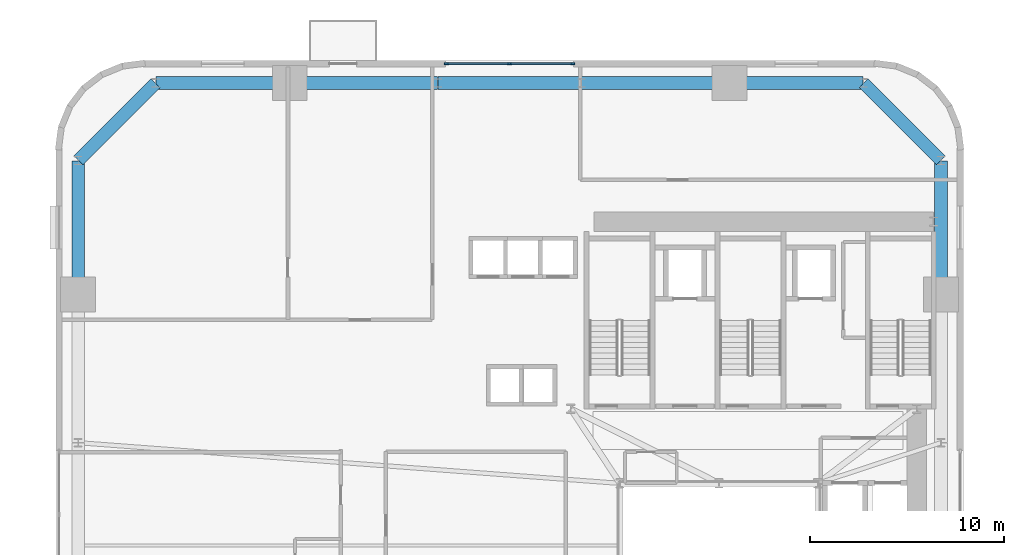
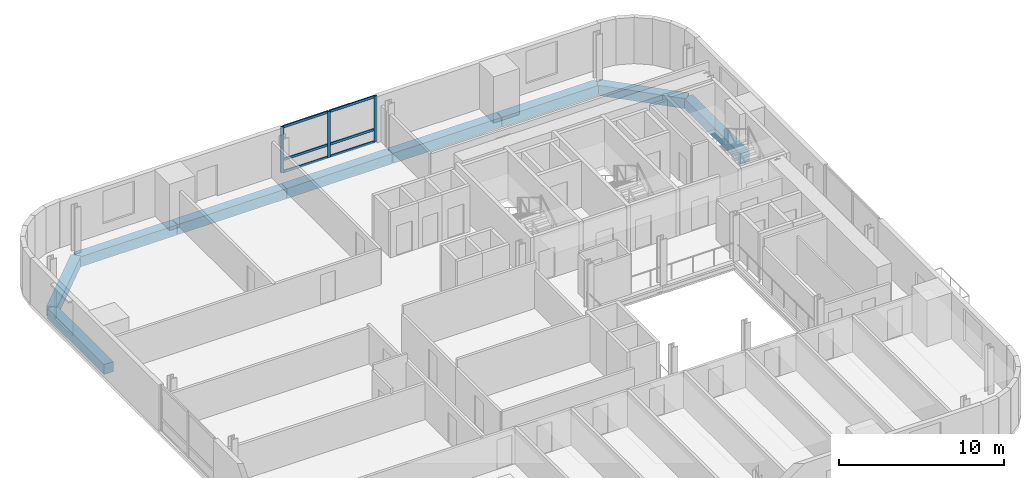
# One storey, part 4 of 13: 9 beams, 9 members, 1 element without a shape of its own.
"""IFC4 building model written with IfcOpenShell, lengths in metres."""

from ifc_helpers import new_model, si_unit, direction, frame, origin, origin_2d, place, context, subcontext, project, spatial, rectangle, extrude, source, transform, mapped, material, material_profile, profile_set, type_object, element, aggregate, save


model = new_model("IFC4")

# Units and contexts
model_context = context("Model", 3, precision=1e-05, world=origin(), true_north=direction((0.0, 1.0)))
body_context = subcontext(model_context, "Body", "Model", "MODEL_VIEW")
ifc_project = project(units=[si_unit("LENGTHUNIT", "METRE"), si_unit("AREAUNIT", "SQUARE_METRE"), si_unit("VOLUMEUNIT", "CUBIC_METRE"), si_unit("PLANEANGLEUNIT", "RADIAN"), si_unit("MASSUNIT", "GRAM", prefix="KILO")], contexts=[model_context])

# Site, building, storey
site_placement = place(None, origin())
site = spatial("IfcSite", under=ifc_project, at=site_placement, CompositionType="ELEMENT")
building_placement = place(site_placement, origin())
building = spatial("IfcBuilding", under=site, at=building_placement, Name="Vardaveli Station Tower", CompositionType="ELEMENT")
storey_placement = place(building_placement, frame((0.0, 0.0, 53.14990234375)))
storey = spatial("IfcBuildingStorey", under=building, at=storey_placement, Name="L13", CompositionType="ELEMENT", Elevation=53.14990234375)

# Beams
ifc_material_1 = material(Name="Precast concrete C45/55", Category="concrete")
ifc_material_profile_1 = material_profile(ifc_material_1, rectangle(XDim=0.64990234375, YDim=0.75, at=origin_2d()), Name="LPB 650x750")
ifc_profile_set_1 = profile_set([ifc_material_profile_1], Name="Precast concrete C45/55")
beam_type = type_object("IfcBeamType", Name="BM-LPB-750", PredefinedType="BEAM", material=ifc_profile_set_1)
shared_shape_1 = source(origin(), body_context, "Body", "SweptSolid", [
    extrude(rectangle(XDim=0.64990234375, YDim=0.75, at=origin_2d()), origin(), (0.0, 0.0, 1.0), 7.60009765625),
])
for number, where, z_axis, x_axis, name in (
    (1, (36.820068359375, 47.449951171875, -0.614990234375), (-1.0, 0.0, 0.0), (0.0, -1.0, 0.0), "RBM-L13-13"),
    (2, (21.780029296875, 47.449951171875, -0.614990234375), (-1.0, 0.0, 0.0), (0.0, -1.0, 0.0), "RBM-L13-15"),
):
    element("IfcBeam", number, at=place(storey_placement, frame(where, z_axis=z_axis, x_axis=x_axis)), inside=storey, type_object=beam_type, Name=name, PredefinedType="BEAM", context=body_context, shape_type="MappedRepresentation", body=[
        mapped(shared_shape_1, transform((0.0, 0.0, 0.0), scale=1.0)),
    ])
shared_shape_2 = source(origin(), body_context, "Body", "SweptSolid", [
    extrude(rectangle(XDim=0.64990234375, YDim=0.75, at=origin_2d()), origin(), (0.0, 0.0, 1.0), 7.35986328125),
])
beam_placement = place(storey_placement, frame((29.179931640625, 47.449951171875, -0.614990234375), z_axis=(-1.0, 0.0, 0.0), x_axis=(0.0, -1.0, 0.0)))
element("IfcBeam", 3, at=beam_placement, inside=storey, type_object=beam_type, Name="RBM-L13-14", PredefinedType="BEAM", context=body_context, shape_type="MappedRepresentation", body=[
    mapped(shared_shape_2, transform((0.0, 0.0, 0.0), scale=1.0)),
])
shared_shape_3 = source(origin(), body_context, "Body", "SweptSolid", [
    extrude(rectangle(XDim=0.64990234375, YDim=0.75, at=origin_2d()), origin(), (0.0, 0.0, 1.0), 6.869873046875),
])
for number, where, z_axis, x_axis, name in (
    (4, (47.75, 36.56005859375, -0.614990234375), (0.0, 1.0, 0.0), (-1.0, 0.0, 0.0), "RBM-L13-10"),
    (5, (43.72998046875, 47.449951171875, -0.614990234375), (-1.0, 0.0, 0.0), (0.0, -1.0, 0.0), "RBM-L13-12"),
    (6, (14.139892578125, 47.449951171875, -0.614990234375), (-1.0, 0.0, 0.0), (0.0, -1.0, 0.0), "RBM-L13-16"),
    (7, (3.25, 43.429931640625, -0.614990234375), (0.0, -1.0, 0.0), (1.0, 0.0, 0.0), "RBM-L13-18"),
):
    element("IfcBeam", number, at=place(storey_placement, frame(where, z_axis=z_axis, x_axis=x_axis)), inside=storey, type_object=beam_type, Name=name, PredefinedType="BEAM", context=body_context, shape_type="MappedRepresentation", body=[
        mapped(shared_shape_3, transform((0.0, 0.0, 0.0), scale=1.0)),
    ])
shared_shape_4 = source(origin(), body_context, "Body", "SweptSolid", [
    extrude(rectangle(XDim=0.64990234375, YDim=0.75, at=origin_2d()), origin(), (0.0, 0.0, 1.0), 5.61669921875),
])
for number, where, z_axis, x_axis, name in (
    (8, (47.73583984375, 43.464111328125, -0.614990234375), (-0.707106781187, 0.707106781187, 0.0), (-0.707106781187, -0.707106781187, 0.0), "RBM-L13-11"),
    (9, (7.23583984375, 47.435791015625, -0.614990234375), (-0.707106781187, -0.707106781187, 0.0), (0.707106781187, -0.707106781187, 0.0), "RBM-L13-17"),
):
    element("IfcBeam", number, at=place(storey_placement, frame(where, z_axis=z_axis, x_axis=x_axis)), inside=storey, type_object=beam_type, Name=name, PredefinedType="BEAM", context=body_context, shape_type="MappedRepresentation", body=[
        mapped(shared_shape_4, transform((0.0, 0.0, 0.0), scale=1.0)),
    ])

# Curtain wall, members
ifc_material_2 = material(Name="Travertine stone and solar-control glass", Category="masonry")
curtain_wall_type = type_object("IfcCurtainWallType", Name="CW-SYS-2", PredefinedType="NOTDEFINED", material=ifc_material_2)
curtain_wall_placement = place(storey_placement, origin())
curtain_wall = element("IfcCurtainWall", 10, at=curtain_wall_placement, inside=storey, type_object=curtain_wall_type, Name="CW-L13-N", PredefinedType="NOTDEFINED")
ifc_material_3 = material(Name="Anodised aluminium alloy 6063-T6", Category="aluminium")
ifc_material_profile_2 = material_profile(ifc_material_3, rectangle(XDim=0.0849609375, YDim=0.179931640625, at=origin_2d()), Name="CWT 85x180")
ifc_profile_set_2 = profile_set([ifc_material_profile_2], Name="Anodised aluminium alloy 6063-T6")
member_type_1 = type_object("IfcMemberType", Name="CW-SYS-2-TRAN", PredefinedType="NOTDEFINED", material=ifc_profile_set_2)
shared_shape_5 = source(origin(), body_context, "Body", "SweptSolid", [
    extrude(rectangle(XDim=0.0849609375, YDim=0.179931640625, at=origin_2d()), origin(), (0.0, 0.0, 1.0), 3.172607421875),
])
member_1_placement = place(storey_placement, frame((28.715087890625, 48.43994140625, 0.04248046875), z_axis=(-1.0, 0.0, 0.0), x_axis=(0.0, -1.0, 0.0)))
member_1 = element("IfcMember", 11, at=member_1_placement, type_object=member_type_1, Name="CW-2 transom 1.1", ObjectType="TRANSOM", PredefinedType="USERDEFINED", context=body_context, shape_type="MappedRepresentation", body=[
    mapped(shared_shape_5, transform((0.0, 0.0, 0.0), scale=1.0)),
])
member_2_placement = place(storey_placement, frame((28.715087890625, 48.43994140625, 0.9501953125), z_axis=(-1.0, 0.0, 0.0), x_axis=(0.0, -1.0, 0.0)))
member_2 = element("IfcMember", 12, at=member_2_placement, type_object=member_type_1, Name="CW-2 transom 1.2", ObjectType="TRANSOM", PredefinedType="USERDEFINED", context=body_context, shape_type="MappedRepresentation", body=[
    mapped(shared_shape_5, transform((0.0, 0.0, 0.0), scale=1.0)),
])
member_3_placement = place(storey_placement, frame((28.715087890625, 48.43994140625, 3.36767578125), z_axis=(-1.0, 0.0, 0.0), x_axis=(0.0, -1.0, 0.0)))
member_3 = element("IfcMember", 13, at=member_3_placement, type_object=member_type_1, Name="CW-2 transom 1.3", ObjectType="TRANSOM", PredefinedType="USERDEFINED", context=body_context, shape_type="MappedRepresentation", body=[
    mapped(shared_shape_5, transform((0.0, 0.0, 0.0), scale=1.0)),
])
member_4_placement = place(storey_placement, frame((25.45751953125, 48.43994140625, 0.04248046875), z_axis=(-1.0, 0.0, 0.0), x_axis=(0.0, -1.0, 0.0)))
member_4 = element("IfcMember", 14, at=member_4_placement, type_object=member_type_1, Name="CW-2 transom 2.1", ObjectType="TRANSOM", PredefinedType="USERDEFINED", context=body_context, shape_type="MappedRepresentation", body=[
    mapped(shared_shape_5, transform((0.0, 0.0, 0.0), scale=1.0)),
])
member_5_placement = place(storey_placement, frame((25.45751953125, 48.43994140625, 0.9501953125), z_axis=(-1.0, 0.0, 0.0), x_axis=(0.0, -1.0, 0.0)))
member_5 = element("IfcMember", 15, at=member_5_placement, type_object=member_type_1, Name="CW-2 transom 2.2", ObjectType="TRANSOM", PredefinedType="USERDEFINED", context=body_context, shape_type="MappedRepresentation", body=[
    mapped(shared_shape_5, transform((0.0, 0.0, 0.0), scale=1.0)),
])
member_6_placement = place(storey_placement, frame((25.45751953125, 48.43994140625, 3.36767578125), z_axis=(-1.0, 0.0, 0.0), x_axis=(0.0, -1.0, 0.0)))
member_6 = element("IfcMember", 16, at=member_6_placement, type_object=member_type_1, Name="CW-2 transom 2.3", ObjectType="TRANSOM", PredefinedType="USERDEFINED", context=body_context, shape_type="MappedRepresentation", body=[
    mapped(shared_shape_5, transform((0.0, 0.0, 0.0), scale=1.0)),
])
ifc_material_profile_3 = material_profile(ifc_material_3, rectangle(XDim=0.0849609375, YDim=0.219970703125, at=origin_2d()), Name="CWM 85x220")
ifc_profile_set_3 = profile_set([ifc_material_profile_3], Name="Anodised aluminium alloy 6063-T6")
member_type_2 = type_object("IfcMemberType", Name="CW-SYS-2-MULL", PredefinedType="MULLION", material=ifc_profile_set_3)
shared_shape_6 = source(origin(), body_context, "Body", "SweptSolid", [
    extrude(rectangle(XDim=0.0849609375, YDim=0.219970703125, at=origin_2d()), origin(), (0.0, 0.0, 1.0), 3.41015625),
])
member_7_placement = place(storey_placement, frame((28.757568359375, 48.43994140625, 0.0), z_axis=(0.0, 0.0, 1.0), x_axis=(0.0, -1.0, 0.0)))
member_7 = element("IfcMember", 17, at=member_7_placement, type_object=member_type_2, Name="CW-2 mullion 1", PredefinedType="MULLION", context=body_context, shape_type="MappedRepresentation", body=[
    mapped(shared_shape_6, transform((0.0, 0.0, 0.0), scale=1.0)),
])
member_8_placement = place(storey_placement, frame((25.5, 48.43994140625, 0.0), z_axis=(0.0, 0.0, 1.0), x_axis=(0.0, -1.0, 0.0)))
member_8 = element("IfcMember", 18, at=member_8_placement, type_object=member_type_2, Name="CW-2 mullion 2", PredefinedType="MULLION", context=body_context, shape_type="MappedRepresentation", body=[
    mapped(shared_shape_6, transform((0.0, 0.0, 0.0), scale=1.0)),
])
member_9_placement = place(storey_placement, frame((22.242431640625, 48.43994140625, 0.0), z_axis=(0.0, 0.0, 1.0), x_axis=(0.0, -1.0, 0.0)))
member_9 = element("IfcMember", 19, at=member_9_placement, type_object=member_type_2, Name="CW-2 mullion 3", PredefinedType="MULLION", context=body_context, shape_type="MappedRepresentation", body=[
    mapped(shared_shape_6, transform((0.0, 0.0, 0.0), scale=1.0)),
])
aggregate(curtain_wall, [member_7, member_8, member_9, member_1, member_2, member_3, member_4, member_5, member_6])

save(model, "model.ifc")
